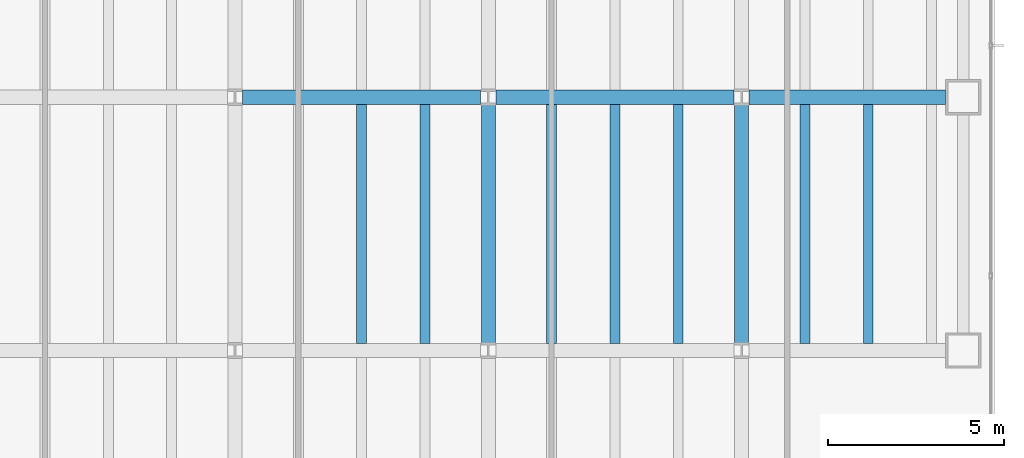
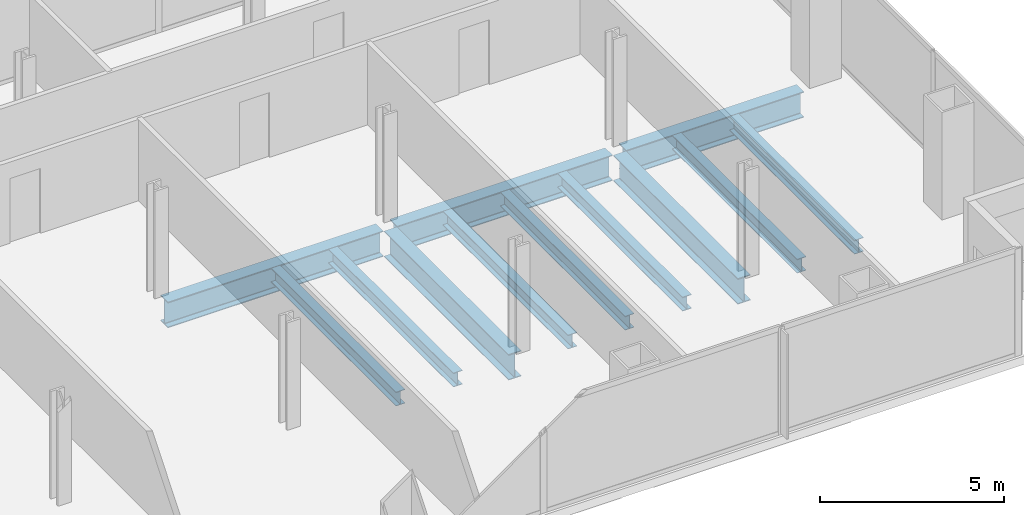
# One storey, part 9 of 25: 12 beams.
"""IFC4 building model written with IfcOpenShell, lengths in metres."""

from ifc_helpers import new_model, si_unit, direction, frame, origin, origin_2d, place, context, subcontext, project, spatial, i_section, extrude, material, material_profile, profile_set, type_object, element, save


model = new_model("IFC4")

# Units and contexts
model_context = context("Model", 3, precision=1e-05, world=origin(), true_north=direction((0.0, 1.0)))
body_context = subcontext(model_context, "Body", "Model", "MODEL_VIEW")
ifc_project = project(units=[si_unit("LENGTHUNIT", "METRE"), si_unit("AREAUNIT", "SQUARE_METRE"), si_unit("VOLUMEUNIT", "CUBIC_METRE"), si_unit("PLANEANGLEUNIT", "RADIAN"), si_unit("MASSUNIT", "GRAM", prefix="KILO")], contexts=[model_context])

# Site, building, storey
site_placement = place(None, origin())
site = spatial("IfcSite", under=ifc_project, at=site_placement, CompositionType="ELEMENT")
building_placement = place(site_placement, origin())
building = spatial("IfcBuilding", under=site, at=building_placement, Name="Cobrela Telecom Tower", CompositionType="ELEMENT")
storey_placement = place(building_placement, frame((0.0, 0.0, 58.10009765625)))
storey = spatial("IfcBuildingStorey", under=building, at=storey_placement, Name="L14", CompositionType="ELEMENT", Elevation=58.10009765625)

# Beams
ifc_material = material(Name="Steel ASTM A992 Grade 50", Category="steel")
ifc_material_profile_1 = material_profile(ifc_material, i_section(OverallWidth=0.39892578125, OverallDepth=0.85595703125, WebThickness=0.018310546875, FlangeThickness=0.029296875, FilletRadius=0.02001953125, at=origin_2d()), Name="W33X201")
ifc_profile_set_1 = profile_set([ifc_material_profile_1], Name="Steel ASTM A992 Grade 50")
beam_type_1 = type_object("IfcBeamType", Name="BM-GIRD-03", PredefinedType="USERDEFINED", material=ifc_profile_set_1)
for number, where, z_axis, x_axis, name in (
    (1, (29.01611328125, 14.39990234375, -0.7080078125), (1.0, 0.0, 0.0), (0.0, 1.0, 0.0), "L14 Primary Girder X15"),
    (2, (36.216064453125, 14.39990234375, -0.7080078125), (1.0, 0.0, 0.0), (0.0, 1.0, 0.0), "L14 Primary Girder X16"),
):
    element("IfcBeam", number, at=place(storey_placement, frame(where, z_axis=z_axis, x_axis=x_axis)), inside=storey, type_object=beam_type_1, Name=name, ObjectType="GIRDER", PredefinedType="USERDEFINED", context=body_context, shape_type="SweptSolid", body=[
        extrude(i_section(OverallWidth=0.39892578125, OverallDepth=0.85595703125, WebThickness=0.018310546875, FlangeThickness=0.029296875, FilletRadius=0.02001953125, at=origin_2d()), origin(), (0.0, 0.0, 1.0), 6.767822265625),
    ])
beam_placement = place(storey_placement, frame((43.416015625, 14.39990234375, -0.7080078125), z_axis=(1.0, 0.0, 0.0), x_axis=(0.0, 1.0, 0.0)))
element("IfcBeam", 3, at=beam_placement, inside=storey, type_object=beam_type_1, Name="L14 Primary Girder X17", ObjectType="GIRDER", PredefinedType="USERDEFINED", context=body_context, shape_type="SweptSolid", body=[
    extrude(i_section(OverallWidth=0.39892578125, OverallDepth=0.85595703125, WebThickness=0.018310546875, FlangeThickness=0.029296875, FilletRadius=0.02001953125, at=origin_2d()), origin(), (0.0, 0.0, 1.0), 5.5791015625),
])
for number, where, z_axis, x_axis, name in (
    (4, (36.0, 7.416015625, -0.7080078125), (0.0, 1.0, 0.0), (-1.0, 0.0, 0.0), "L14 Primary Girder Y51"),
    (5, (43.199951171875, 7.416015625, -0.7080078125), (0.0, 1.0, 0.0), (-1.0, 0.0, 0.0), "L14 Primary Girder Y54"),
):
    element("IfcBeam", number, at=place(storey_placement, frame(where, z_axis=z_axis, x_axis=x_axis)), inside=storey, type_object=beam_type_1, Name=name, ObjectType="GIRDER", PredefinedType="USERDEFINED", context=body_context, shape_type="SweptSolid", body=[
        extrude(i_section(OverallWidth=0.39892578125, OverallDepth=0.85595703125, WebThickness=0.018310546875, FlangeThickness=0.029296875, FilletRadius=0.02001953125, at=origin_2d()), origin(), (0.0, 0.0, 1.0), 6.76806640625),
    ])
ifc_material_profile_2 = material_profile(ifc_material, i_section(OverallWidth=0.281982421875, OverallDepth=0.467041015625, WebThickness=0.01220703125, FlangeThickness=0.01953125, FilletRadius=0.012939453125, at=origin_2d()), Name="W18X86")
ifc_profile_set_2 = profile_set([ifc_material_profile_2], Name="Steel ASTM A992 Grade 50")
beam_type_2 = type_object("IfcBeamType", Name="BM-JOIST-02", PredefinedType="JOIST", material=ifc_profile_set_2)
for number, where, z_axis, x_axis, name in (
    (6, (32.39990234375, 7.404541015625, -0.513671875), (0.0, 1.0, 0.0), (-1.0, 0.0, 0.0), "L14 Secondary Composite Floor Beam J45"),
    (7, (34.199951171875, 7.404541015625, -0.513671875), (0.0, 1.0, 0.0), (-1.0, 0.0, 0.0), "L14 Secondary Composite Floor Beam J48"),
    (8, (37.800048828125, 7.404541015625, -0.513671875), (0.0, 1.0, 0.0), (-1.0, 0.0, 0.0), "L14 Secondary Composite Floor Beam J51"),
    (9, (39.60009765625, 7.404541015625, -0.513671875), (0.0, 1.0, 0.0), (-1.0, 0.0, 0.0), "L14 Secondary Composite Floor Beam J54"),
    (10, (41.39990234375, 7.404541015625, -0.513671875), (0.0, 1.0, 0.0), (-1.0, 0.0, 0.0), "L14 Secondary Composite Floor Beam J57"),
    (11, (45.0, 7.404541015625, -0.513671875), (0.0, 1.0, 0.0), (-1.0, 0.0, 0.0), "L14 Secondary Composite Floor Beam J59"),
    (12, (46.800048828125, 7.404541015625, -0.513671875), (0.0, 1.0, 0.0), (-1.0, 0.0, 0.0), "L14 Secondary Composite Floor Beam J61"),
):
    element("IfcBeam", number, at=place(storey_placement, frame(where, z_axis=z_axis, x_axis=x_axis)), inside=storey, type_object=beam_type_2, Name=name, PredefinedType="JOIST", context=body_context, shape_type="SweptSolid", body=[
        extrude(i_section(OverallWidth=0.281982421875, OverallDepth=0.467041015625, WebThickness=0.01220703125, FlangeThickness=0.01953125, FilletRadius=0.012939453125, at=origin_2d()), origin(), (0.0, 0.0, 1.0), 6.791015625),
    ])

save(model, "model.ifc")
